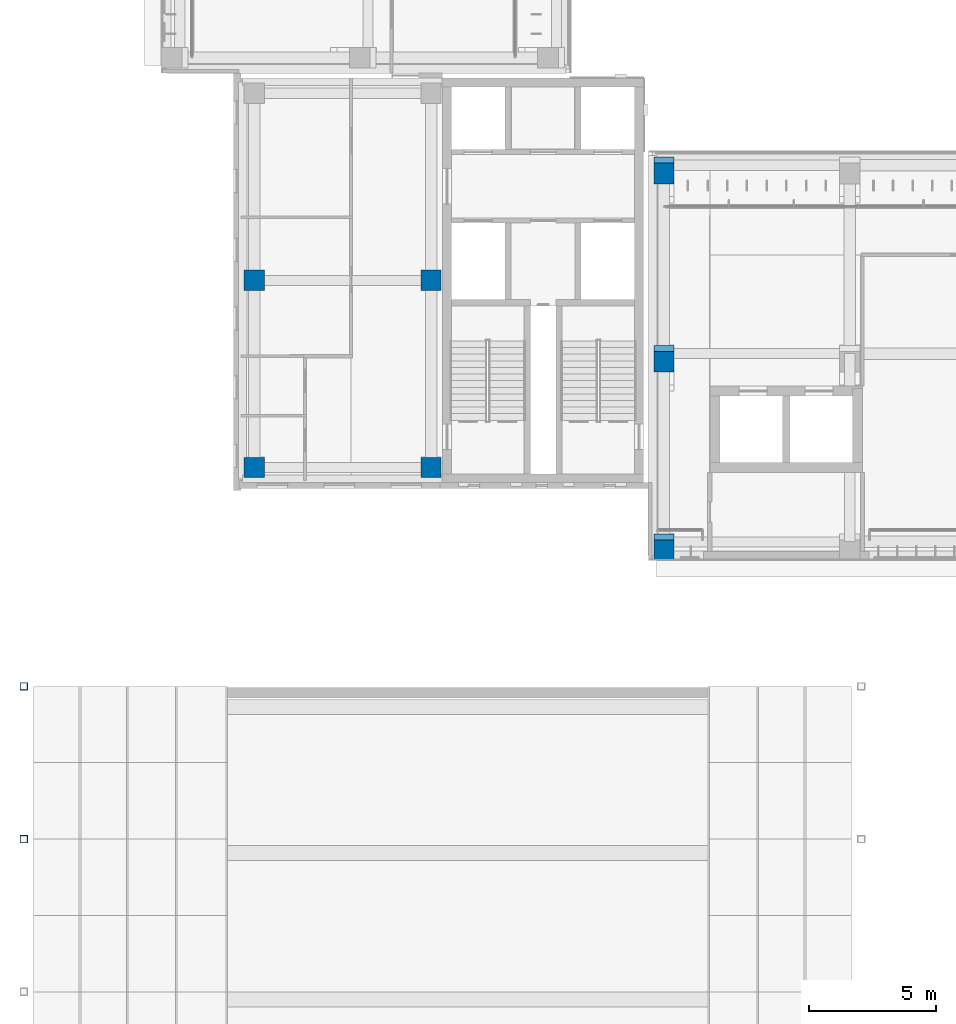
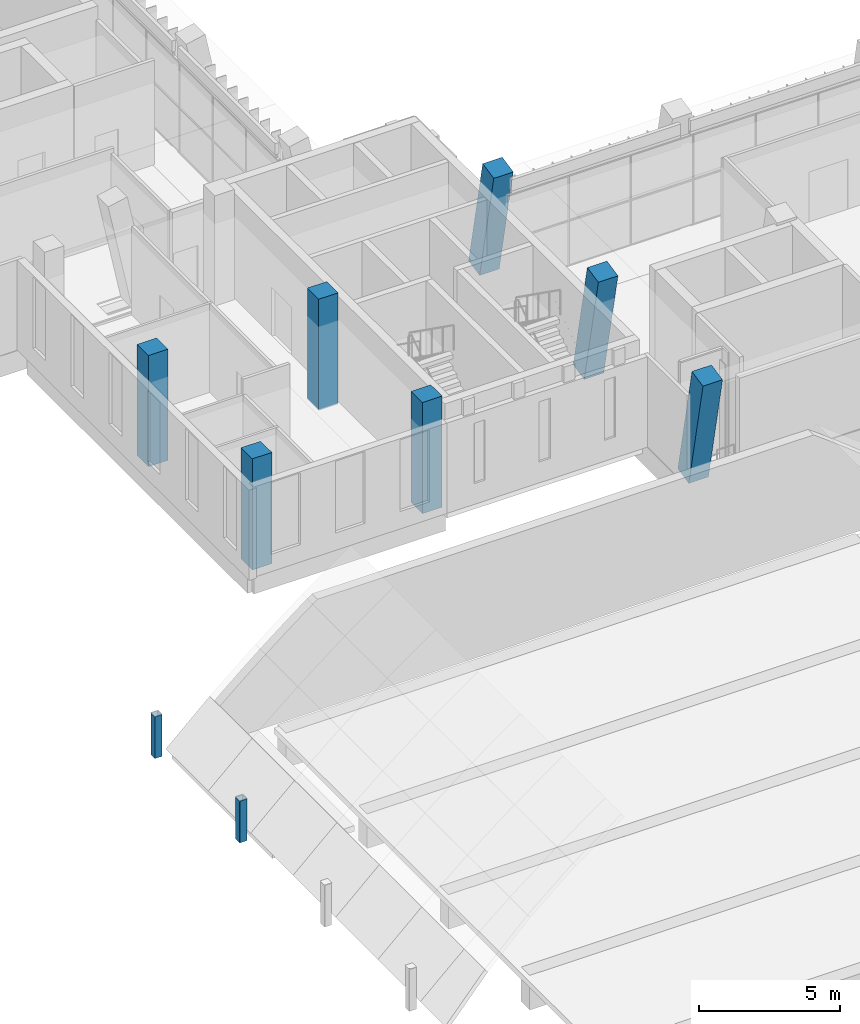
# One storey, part 3 of 89: 9 columns.
"""IFC4 building model written with IfcOpenShell, lengths in metres."""

from ifc_helpers import new_model, si_unit, direction, frame, origin, origin_2d, place, context, subcontext, project, spatial, rectangle, hollow_rectangle, extrude, material, material_profile, profile_set, type_object, element, save


model = new_model("IFC4")

# Units and contexts
model_context = context("Model", 3, precision=1e-05, world=origin(), true_north=direction((0.0, 1.0)))
body_context = subcontext(model_context, "Body", "Model", "MODEL_VIEW")
ifc_project = project(units=[si_unit("LENGTHUNIT", "METRE"), si_unit("AREAUNIT", "SQUARE_METRE"), si_unit("VOLUMEUNIT", "CUBIC_METRE"), si_unit("PLANEANGLEUNIT", "RADIAN"), si_unit("MASSUNIT", "GRAM", prefix="KILO")], contexts=[model_context])

# Site, building, storey
site_placement = place(None, origin())
site = spatial("IfcSite", under=ifc_project, at=site_placement, CompositionType="ELEMENT")
building_placement = place(site_placement, origin())
building = spatial("IfcBuilding", under=site, at=building_placement, Name="Lantern Court Media Centre", CompositionType="ELEMENT")
storey_placement = place(building_placement, frame((0.0, 0.0, 14.39990234375)))
storey = spatial("IfcBuildingStorey", under=building, at=storey_placement, Name="L03", CompositionType="ELEMENT", Elevation=14.39990234375)

# Columns
ifc_material_1 = material(Name="Steel S355J2 (EN 10025-2)", Category="steel")
ifc_material_profile_1 = material_profile(ifc_material_1, hollow_rectangle(XDim=0.300048828125, YDim=0.300048828125, WallThickness=0.012451171875, InnerFilletRadius=0.012451171875, OuterFilletRadius=0.018798828125, at=origin_2d()), Name="Cinema Hall buttress pinnacle SHS 300x12.5")
ifc_profile_set_1 = profile_set([ifc_material_profile_1], Name="Steel S355J2 (EN 10025-2)")
column_type_1 = type_object("IfcColumnType", Name="Cinema Hall buttress pinnacle SHS 300x12.5", PredefinedType="COLUMN", material=ifc_profile_set_1)
for number, where, z_axis, x_axis, name in (
    (1, (-0.4501953125, 34.0, 0.0), (0.0, 0.0, 1.0), (1.0, 0.0, 0.0), "Cinema Hall pinnacle west 7"),
    (2, (-0.4501953125, 40.0, 0.0), (0.0, 0.0, 1.0), (1.0, 0.0, 0.0), "Cinema Hall pinnacle west 8"),
):
    element("IfcColumn", number, at=place(storey_placement, frame(where, z_axis=z_axis, x_axis=x_axis)), inside=storey, type_object=column_type_1, Name=name, PredefinedType="COLUMN", context=body_context, shape_type="SweptSolid", body=[
        extrude(hollow_rectangle(XDim=0.300048828125, YDim=0.300048828125, WallThickness=0.012451171875, InnerFilletRadius=0.012451171875, OuterFilletRadius=0.018798828125, at=origin_2d()), origin(), (0.0, 0.0, 1.0), 1.800048828125),
    ])
ifc_material_2 = material(Name="Concrete C35", Category="concrete")
ifc_material_profile_2 = material_profile(ifc_material_2, rectangle(XDim=0.800048828125, YDim=0.800048828125, at=origin_2d()), Name="RC 800x800")
ifc_profile_set_2 = profile_set([ifc_material_profile_2], Name="Concrete C35")
column_type_2 = type_object("IfcColumnType", Name="RC COLUMN 800x800", PredefinedType="COLUMN", material=ifc_profile_set_2)
for number, where, z_axis, x_axis, name in (
    (3, (8.60009765625, 48.60009765625, 0.0), (0.0, 0.0, 1.0), (1.0, 0.0, 0.0), "C-SW-0-L03"),
    (4, (8.60009765625, 55.949951171875, 0.0), (0.0, 0.0, 1.0), (1.0, 0.0, 0.0), "C-SW-1-L03"),
    (5, (15.550048828125, 48.60009765625, 0.0), (0.0, 0.0, 1.0), (1.0, 0.0, 0.0), "C-SW-3-L03"),
    (6, (15.550048828125, 55.949951171875, 0.0), (0.0, 0.0, 1.0), (1.0, 0.0, 0.0), "C-SW-4-L03"),
):
    element("IfcColumn", number, at=place(storey_placement, frame(where, z_axis=z_axis, x_axis=x_axis)), inside=storey, type_object=column_type_2, Name=name, PredefinedType="COLUMN", context=body_context, shape_type="SweptSolid", body=[
        extrude(rectangle(XDim=0.800048828125, YDim=0.800048828125, at=origin_2d()), origin(), (0.0, 0.0, 1.0), 4.800048828125),
    ])
for number, where, z_axis, x_axis, name in (
    (7, (24.699951171875, 45.60009765625, 0.0), (0.0, -0.203952265704, 0.978980833987), (1.0, 0.0, 0.0), "C-S-0-0-L03"),
    (8, (24.699951171875, 53.0, 0.0), (0.0, -0.203952265704, 0.978980833987), (1.0, 0.0, 0.0), "C-S-1-0-L03"),
    (9, (24.699951171875, 60.39990234375, 0.0), (0.0, -0.203952265704, 0.978980833987), (1.0, 0.0, 0.0), "C-S-2-0-L03"),
):
    element("IfcColumn", number, at=place(storey_placement, frame(where, z_axis=z_axis, x_axis=x_axis)), inside=storey, type_object=column_type_2, Name=name, PredefinedType="COLUMN", context=body_context, shape_type="SweptSolid", body=[
        extrude(rectangle(XDim=0.800048828125, YDim=0.800048828125, at=origin_2d()), origin(), (0.0, 0.0, 1.0), 4.903076171875),
    ])

save(model, "model.ifc")
